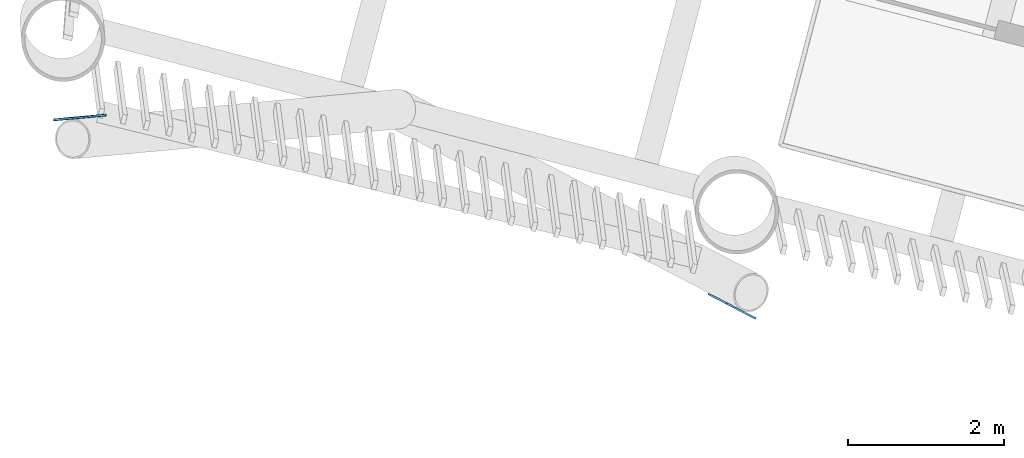
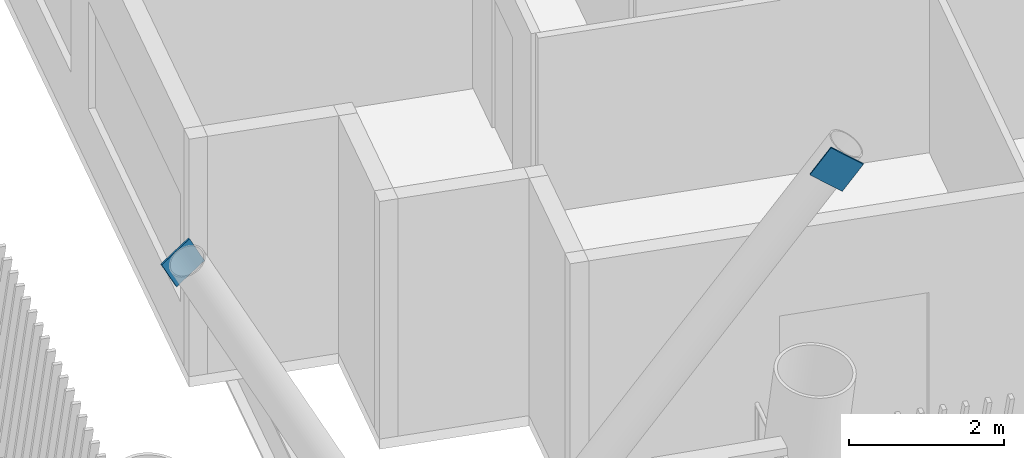
# One storey, part 11 of 21: 2 discrete accessories.
"""IFC4 building model written with IfcOpenShell, lengths in metres."""

from ifc_helpers import new_model, si_unit, direction, frame, origin, origin_2d, place, context, subcontext, project, spatial, rectangle, extrude, material, material_profile, profile_set, type_object, element, save


model = new_model("IFC4")

# Units and contexts
model_context = context("Model", 3, precision=1e-05, world=origin(), true_north=direction((0.0, 1.0)))
body_context = subcontext(model_context, "Body", "Model", "MODEL_VIEW")
ifc_project = project(units=[si_unit("LENGTHUNIT", "METRE"), si_unit("AREAUNIT", "SQUARE_METRE"), si_unit("VOLUMEUNIT", "CUBIC_METRE"), si_unit("PLANEANGLEUNIT", "RADIAN"), si_unit("MASSUNIT", "GRAM", prefix="KILO")], contexts=[model_context])

# Site, building, storey
site_placement = place(None, origin())
site = spatial("IfcSite", under=ifc_project, at=site_placement, CompositionType="ELEMENT")
building_placement = place(site_placement, origin())
building = spatial("IfcBuilding", under=site, at=building_placement, Name="Tarsis Ring Headquarters", CompositionType="ELEMENT")
storey_placement = place(building_placement, frame((0.0, 0.0, 223.800048828125)))
storey = spatial("IfcBuildingStorey", under=building, at=storey_placement, Name="L52", CompositionType="ELEMENT", Elevation=223.800048828125)

# Discrete accessories
ifc_material = material(Name="Structural steel S355", Category="steel")
ifc_material_profile = material_profile(ifc_material, rectangle(XDim=0.02490234375, YDim=0.5, at=origin_2d()), Name="PL 25x500")
ifc_profile_set = profile_set([ifc_material_profile], Name="Structural steel S355")
discrete_accessory_type = type_object("IfcDiscreteAccessoryType", Name="Gusset plate Exo brace 25", PredefinedType="BRACKET", material=ifc_profile_set)
for number, where, z_axis, x_axis, name in (
    (1, (-36.452392578125, -7.18408203125, 7.800048828125), (-0.48484831169, 0.252433612431, -0.837376489977), (-0.461802669915, -0.886982690958, 0.0), "Gusset plate GP5"),
    (2, (-45.0361328125, -4.716064453125, 7.800048828125), (0.47027029094, 0.043462155653, -0.881451583744), (-0.092027338306, 0.995756480774, 0.0), "Gusset plate GP5"),
):
    element("IfcDiscreteAccessory", number, at=place(storey_placement, frame(where, z_axis=z_axis, x_axis=x_axis)), inside=storey, type_object=discrete_accessory_type, Name=name, PredefinedType="BRACKET", context=body_context, shape_type="SweptSolid", body=[
        extrude(rectangle(XDim=0.02490234375, YDim=0.5, at=origin_2d()), origin(), (0.0, 0.0, 1.0), 0.5),
    ])

save(model, "model.ifc")
